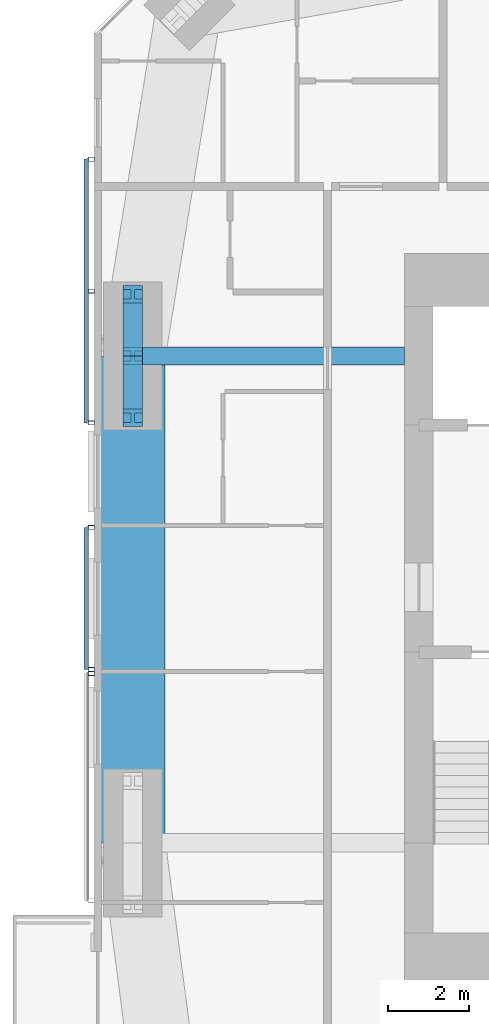
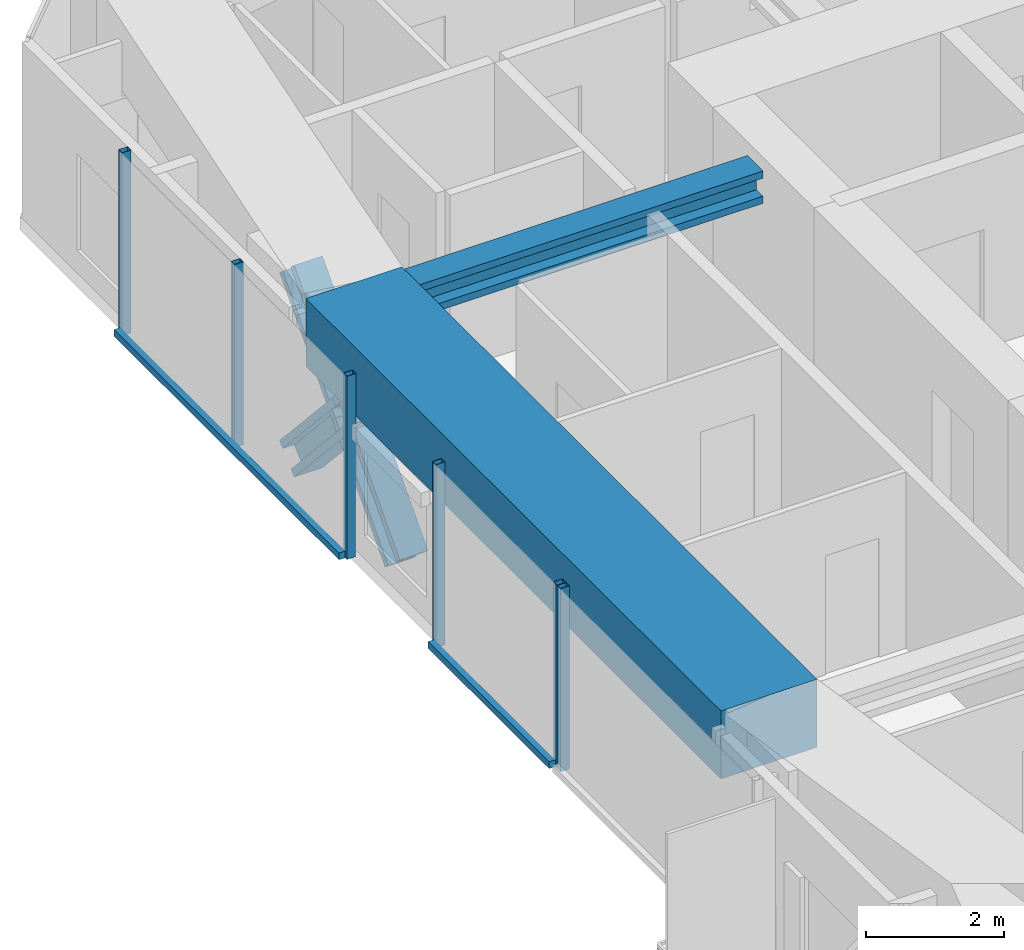
# One storey, part 6 of 23: 12 members, 2 beams, 3 elements without a shape of their own.
"""IFC4 building model written with IfcOpenShell, lengths in metres."""

from ifc_helpers import new_model, si_unit, direction, frame, origin, origin_2d, place, context, subcontext, project, spatial, rectangle, hollow_rectangle, i_section, extrude, material, material_profile, profile_set, type_object, element, aggregate, save


model = new_model("IFC4")

# Units and contexts
model_context = context("Model", 3, precision=1e-05, world=origin(), true_north=direction((0.0, 1.0)))
body_context = subcontext(model_context, "Body", "Model", "MODEL_VIEW")
ifc_project = project(units=[si_unit("LENGTHUNIT", "METRE"), si_unit("AREAUNIT", "SQUARE_METRE"), si_unit("VOLUMEUNIT", "CUBIC_METRE"), si_unit("PLANEANGLEUNIT", "RADIAN"), si_unit("MASSUNIT", "GRAM", prefix="KILO")], contexts=[model_context])

# Site, building, storey
site_placement = place(None, origin())
site = spatial("IfcSite", under=ifc_project, at=site_placement, CompositionType="ELEMENT")
building_placement = place(site_placement, origin())
building = spatial("IfcBuilding", under=site, at=building_placement, Name="Jalousie Tower", CompositionType="ELEMENT")
storey_placement = place(building_placement, frame((0.0, 0.0, 187.85009765625)))
storey = spatial("IfcBuildingStorey", under=building, at=storey_placement, Name="L51", CompositionType="ELEMENT", Elevation=187.85009765625)

# Beam
ifc_material_1 = material(Name="Steel ASTM A992 Grade 50", Category="steel")
ifc_material_profile_1 = material_profile(ifc_material_1, i_section(OverallWidth=0.45458984375, OverallDepth=0.569091796875, WebThickness=0.077880859375, FlangeThickness=0.124755859375, at=origin_2d()), Name="W14X730")
ifc_profile_set_1 = profile_set([ifc_material_profile_1], Name="Steel ASTM A992 Grade 50")
beam_type_1 = type_object("IfcBeamType", Name="LEAN COLLECTOR W14X730", PredefinedType="BEAM", material=ifc_profile_set_1)
beam_1_placement = place(storey_placement, frame((12.949951171875, 25.0, 2.825439453125), z_axis=(1.0, 0.0, 0.0), x_axis=(0.0, 1.0, 0.0)))
element("IfcBeam", 1, at=beam_1_placement, inside=storey, type_object=beam_type_1, Name="Lean collector under L52", PredefinedType="BEAM", context=body_context, shape_type="SweptSolid", body=[
    extrude(i_section(OverallWidth=0.45458984375, OverallDepth=0.569091796875, WebThickness=0.077880859375, FlangeThickness=0.124755859375, at=origin_2d()), origin(), (0.0, 0.0, 1.0), 6.699951171875),
])

# Members
ifc_material_2 = material(Name="Steel ASTM A992 Grade 50", Category="steel")
ifc_material_profile_2 = material_profile(ifc_material_2, i_section(OverallWidth=0.472412109375, OverallDepth=0.5791015625, WebThickness=0.094970703125, FlangeThickness=0.1298828125, at=origin_2d()), Name="W14X808")
ifc_profile_set_2 = profile_set([ifc_material_profile_2], Name="Steel ASTM A992 Grade 50")
member_type_1 = type_object("IfcMemberType", Name="PERIMETER BRACE W14X808", PredefinedType="BRACE", material=ifc_profile_set_2)
for number, where, z_axis, x_axis, name in (
    (2, (12.949951171875, 23.47509765625, -0.60009765625), (0.0, 0.673187629365, 0.739471713908), (-1.0, 0.0, 0.0), "Perimeter brace 13 L51 part 1"),
    (3, (12.949951171875, 25.0, 1.074951171875), (0.0, 0.673187629365, 0.739471713908), (-1.0, 0.0, 0.0), "Perimeter brace 13 L51 part 2"),
    (4, (12.949951171875, 26.52490234375, -0.60009765625), (0.0, -0.673187629365, 0.739471713908), (1.0, 0.0, 0.0), "Perimeter brace 13 L51 part 3"),
    (5, (12.949951171875, 25.0, 1.074951171875), (0.0, -0.673187629365, 0.739471713908), (1.0, 0.0, 0.0), "Perimeter brace 13 L51 part 4"),
):
    element("IfcMember", number, at=place(storey_placement, frame(where, z_axis=z_axis, x_axis=x_axis)), inside=storey, type_object=member_type_1, Name=name, PredefinedType="BRACE", context=body_context, shape_type="SweptSolid", body=[
        extrude(i_section(OverallWidth=0.472412109375, OverallDepth=0.5791015625, WebThickness=0.094970703125, FlangeThickness=0.1298828125, at=origin_2d()), origin(), (0.0, 0.0, 1.0), 2.26513671875),
    ])

# Beam
ifc_material_3 = material(Name="Concrete f'c 40 MPa", Category="concrete")
ifc_material_profile_3 = material_profile(ifc_material_3, rectangle(XDim=1.60009765625, YDim=1.199951171875, at=origin_2d()), Name="RC 1600x1200")
ifc_profile_set_3 = profile_set([ifc_material_profile_3], Name="Concrete f'c 40 MPa")
beam_type_2 = type_object("IfcBeamType", Name="RC BEAM 1600x1200", PredefinedType="BEAM", material=ifc_profile_set_3)
beam_2_placement = place(storey_placement, frame((12.949951171875, 25.0, 2.75), z_axis=(0.0, -1.0, 0.0), x_axis=(1.0, 0.0, 0.0)))
element("IfcBeam", 6, at=beam_2_placement, inside=storey, type_object=beam_type_2, Name="Edge band beam 13-14 under L52", PredefinedType="BEAM", context=body_context, shape_type="SweptSolid", body=[
    extrude(rectangle(XDim=1.60009765625, YDim=1.199951171875, at=origin_2d()), origin(), (0.0, 0.0, 1.0), 12.0),
])

# Curtain wall, members
ifc_material_4 = material(Name="Perforated aluminium sheet", Category="aluminium")
curtain_wall_type = type_object("IfcCurtainWallType", Name="SOLAR SCREEN SS-1", PredefinedType="USERDEFINED", material=ifc_material_4)
curtain_wall_1_placement = place(storey_placement, origin())
curtain_wall_1 = element("IfcCurtainWall", 7, at=curtain_wall_1_placement, inside=storey, type_object=curtain_wall_type, Name="Solar screen L51", ObjectType="SOLAR SCREEN SS-1", PredefinedType="USERDEFINED")
ifc_material_5 = material(Name="Steel ASTM A500 Grade C", Category="steel")
ifc_material_profile_4 = material_profile(ifc_material_5, hollow_rectangle(XDim=0.1015625, YDim=0.15234375, WallThickness=0.00634765625, at=origin_2d()), Name="HSS6X4X1/4")
ifc_profile_set_4 = profile_set([ifc_material_profile_4], Name="Steel ASTM A500 Grade C")
member_type_2 = type_object("IfcMemberType", Name="SOLAR SCREEN SS-1 MULLION", PredefinedType="MULLION", material=ifc_profile_set_4)
member_1_placement = place(storey_placement, frame((11.9287109375, 29.85009765625, -0.1201171875), z_axis=(0.0, 0.0, 1.0), x_axis=(0.0, -1.0, 0.0)))
member_1 = element("IfcMember", 8, at=member_1_placement, type_object=member_type_2, Name="SS1 post 1", PredefinedType="MULLION", context=body_context, shape_type="SweptSolid", body=[
    extrude(hollow_rectangle(XDim=0.1015625, YDim=0.15234375, WallThickness=0.00634765625, at=origin_2d()), origin(), (0.0, 0.0, 1.0), 3.22998046875),
])
member_2_placement = place(storey_placement, frame((11.9287109375, 26.60009765625, -0.1201171875), z_axis=(0.0, 0.0, 1.0), x_axis=(0.0, -1.0, 0.0)))
member_2 = element("IfcMember", 9, at=member_2_placement, type_object=member_type_2, Name="SS1 post 2", PredefinedType="MULLION", context=body_context, shape_type="SweptSolid", body=[
    extrude(hollow_rectangle(XDim=0.1015625, YDim=0.15234375, WallThickness=0.00634765625, at=origin_2d()), origin(), (0.0, 0.0, 1.0), 3.22998046875),
])
member_3_placement = place(storey_placement, frame((11.9287109375, 23.35009765625, -0.1201171875), z_axis=(0.0, 0.0, 1.0), x_axis=(0.0, -1.0, 0.0)))
member_3 = element("IfcMember", 10, at=member_3_placement, type_object=member_type_2, Name="SS1 post 3", PredefinedType="MULLION", context=body_context, shape_type="SweptSolid", body=[
    extrude(hollow_rectangle(XDim=0.1015625, YDim=0.15234375, WallThickness=0.00634765625, at=origin_2d()), origin(), (0.0, 0.0, 1.0), 3.22998046875),
])

curtain_wall_2_placement = place(storey_placement, origin())
curtain_wall_2 = element("IfcCurtainWall", 11, at=curtain_wall_2_placement, inside=storey, type_object=curtain_wall_type, Name="Solar screen L51", ObjectType="SOLAR SCREEN SS-1", PredefinedType="USERDEFINED")
member_4_placement = place(storey_placement, frame((11.9287109375, 20.77490234375, -0.1201171875), z_axis=(0.0, 0.0, 1.0), x_axis=(0.0, -1.0, 0.0)))
member_4 = element("IfcMember", 12, at=member_4_placement, type_object=member_type_2, Name="SS1 post 1", PredefinedType="MULLION", context=body_context, shape_type="SweptSolid", body=[
    extrude(hollow_rectangle(XDim=0.1015625, YDim=0.15234375, WallThickness=0.00634765625, at=origin_2d()), origin(), (0.0, 0.0, 1.0), 3.22998046875),
])
member_5_placement = place(storey_placement, frame((11.9287109375, 17.27490234375, -0.1201171875), z_axis=(0.0, 0.0, 1.0), x_axis=(0.0, -1.0, 0.0)))
member_5 = element("IfcMember", 13, at=member_5_placement, type_object=member_type_2, Name="SS1 post 2", PredefinedType="MULLION", context=body_context, shape_type="SweptSolid", body=[
    extrude(hollow_rectangle(XDim=0.1015625, YDim=0.15234375, WallThickness=0.00634765625, at=origin_2d()), origin(), (0.0, 0.0, 1.0), 3.22998046875),
])

# Curtain wall, member
curtain_wall_3_placement = place(storey_placement, origin())
curtain_wall_3 = element("IfcCurtainWall", 14, at=curtain_wall_3_placement, inside=storey, type_object=curtain_wall_type, Name="Solar screen L51", ObjectType="SOLAR SCREEN SS-1", PredefinedType="USERDEFINED")
member_6_placement = place(storey_placement, frame((11.9287109375, 17.175048828125, -0.1201171875), z_axis=(0.0, 0.0, 1.0), x_axis=(0.0, -1.0, 0.0)))
member_6 = element("IfcMember", 15, at=member_6_placement, type_object=member_type_2, Name="SS1 post 1", PredefinedType="MULLION", context=body_context, shape_type="SweptSolid", body=[
    extrude(hollow_rectangle(XDim=0.1015625, YDim=0.15234375, WallThickness=0.00634765625, at=origin_2d()), origin(), (0.0, 0.0, 1.0), 3.22998046875),
])
aggregate(curtain_wall_3, [member_6])

# Member
ifc_material_6 = material(Name="Extruded aluminium screen rail", Category="aluminium")
ifc_material_profile_5 = material_profile(ifc_material_6, rectangle(XDim=0.1015625, YDim=0.1201171875, at=origin_2d()), Name="RAIL 102x120")
ifc_profile_set_5 = profile_set([ifc_material_profile_5], Name="Extruded aluminium screen rail")
member_type_3 = type_object("IfcMemberType", Name="SOLAR SCREEN SS-1 TRANSOM", PredefinedType="USERDEFINED", material=ifc_profile_set_5)
member_7_placement = place(storey_placement, frame((11.8017578125, 29.85009765625, -0.06005859375), z_axis=(0.0, -1.0, 0.0), x_axis=(1.0, 0.0, 0.0)))
member_7 = element("IfcMember", 16, at=member_7_placement, type_object=member_type_3, Name="SS1 rail", ObjectType="TRANSOM", PredefinedType="USERDEFINED", context=body_context, shape_type="SweptSolid", body=[
    extrude(rectangle(XDim=0.1015625, YDim=0.1201171875, at=origin_2d()), origin(), (0.0, 0.0, 1.0), 6.5),
])

aggregate(curtain_wall_1, [member_1, member_2, member_3, member_7])

member_8_placement = place(storey_placement, frame((11.8017578125, 20.77490234375, -0.06005859375), z_axis=(0.0, -1.0, 0.0), x_axis=(1.0, 0.0, 0.0)))
member_8 = element("IfcMember", 17, at=member_8_placement, type_object=member_type_3, Name="SS1 rail", ObjectType="TRANSOM", PredefinedType="USERDEFINED", context=body_context, shape_type="SweptSolid", body=[
    extrude(rectangle(XDim=0.1015625, YDim=0.1201171875, at=origin_2d()), origin(), (0.0, 0.0, 1.0), 3.5),
])

aggregate(curtain_wall_2, [member_4, member_5, member_8])

save(model, "model.ifc")
